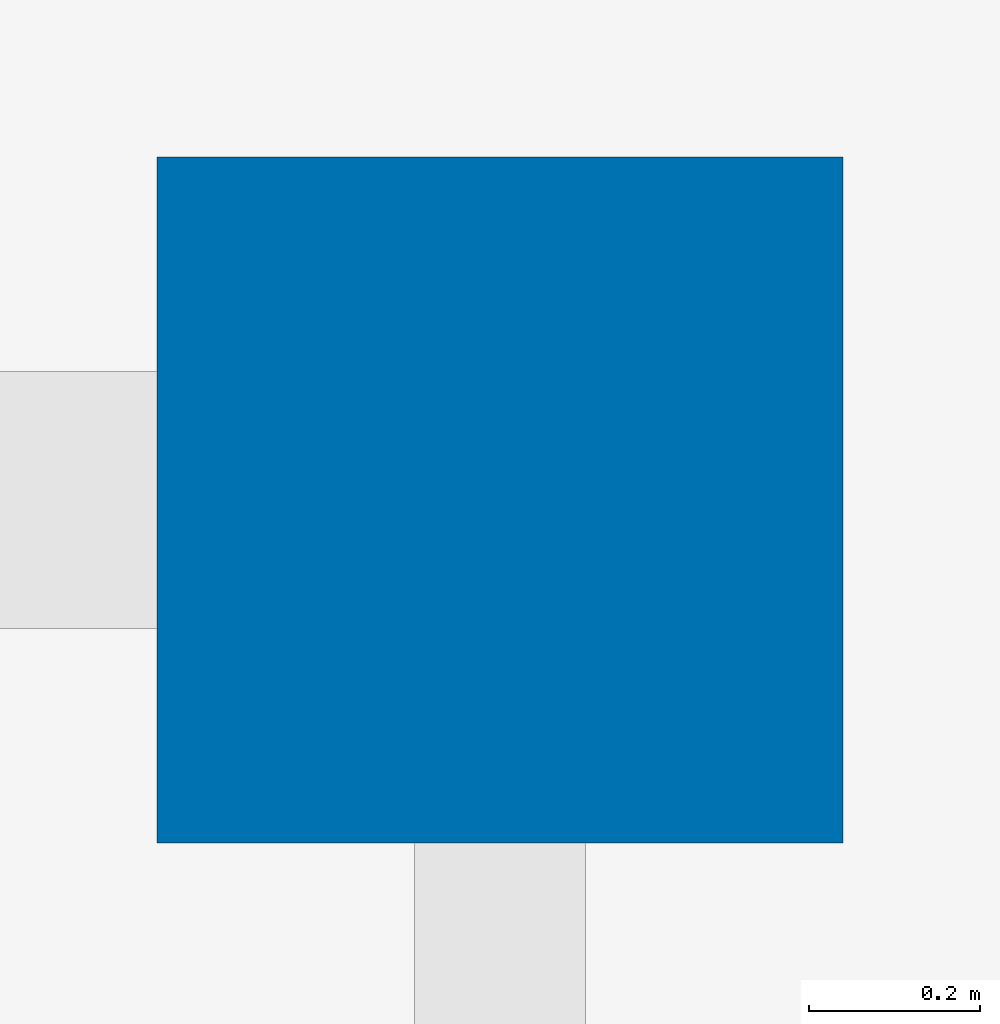
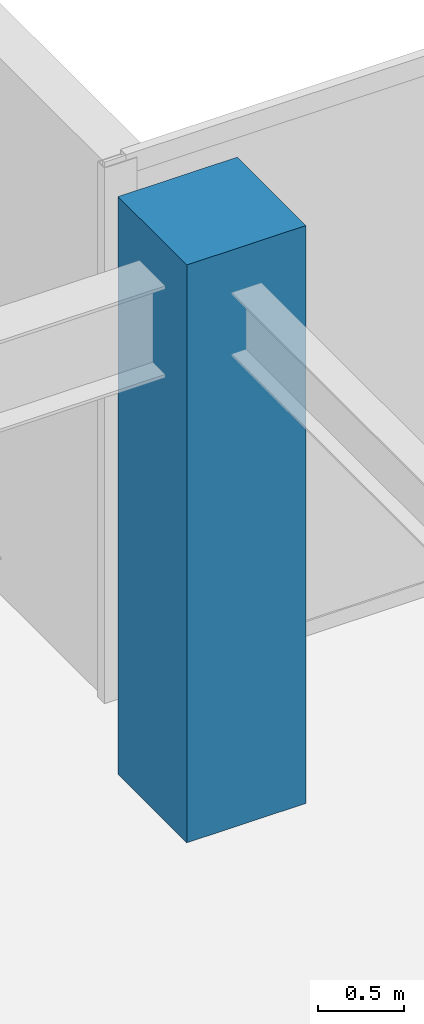
# One storey, part 4 of 33: 1 column.
"""IFC4 building model written with IfcOpenShell, lengths in metres."""

import ifcopenshell
import ifcopenshell.guid

model = None  # the IFC model being written
_history = None  # IfcOwnerHistory: only IFC2X3 demands one
_inside = {}  # id of a spatial element -> (the spatial element, [elements in it])
_under = {}  # id of a project, library or spatial element -> (it, [spatial elements below it])
_declared = {}  # id of a project -> (the project, [libraries it declares])
_typed = {}  # id of a type object -> (the type object, [elements of that type])
_made_of = {}  # id of a material, layer set ... -> (it, [elements and type objects made of it])


def new_model(schema):
    """Start an empty IFC model of exactly this schema.

    Asked for "IFC4X3", IfcOpenShell would pick the latest addendum, in which some entities
    have other attributes; the version numbers below select the first issue.
    IFC2X3 requires an IfcOwnerHistory on every rooted entity: one is made here for all.
    """
    global model, _history
    if schema == "IFC4X3":
        model = ifcopenshell.file(schema_version=(4, 3, 0, 0))
    else:
        model = ifcopenshell.file(schema=schema)
    _inside.clear()
    _under.clear()
    _declared.clear()
    _typed.clear()
    _made_of.clear()
    _history = None
    if model.schema == "IFC2X3":
        org = make("IfcOrganization", Name="unknown")
        user = make(
            "IfcPersonAndOrganization",
            ThePerson=make("IfcPerson", FamilyName="unknown"),
            TheOrganization=org,
        )
        app = make(
            "IfcApplication",
            ApplicationDeveloper=org,
            Version="unknown",
            ApplicationFullName="unknown",
            ApplicationIdentifier="unknown",
        )
        _history = make(
            "IfcOwnerHistory",
            OwningUser=user,
            OwningApplication=app,
            ChangeAction="ADDED",
            CreationDate=0,
        )
    return model


def make(cls, **values):
    """One entity of the class cls with the attributes given. An attribute that is None is left unset."""
    return model.create_entity(
        cls, **{name: value for name, value in values.items() if value is not None}
    )


def rooted(cls, **values):
    """An entity with a GlobalId (a new one), such as an element, a storey or a relation."""
    return make(cls, GlobalId=ifcopenshell.guid.new(), OwnerHistory=_history, **values)


def si_unit(unit_type, name, prefix=None):
    """IfcSIUnit, for example si_unit("LENGTHUNIT", "METRE", prefix="MILLI")."""
    return make("IfcSIUnit", UnitType=unit_type, Prefix=prefix, Name=name)


def assignment(units):
    """IfcUnitAssignment: the units of a project."""
    return None if units is None else make("IfcUnitAssignment", Units=units)


def point(xyz):
    """IfcCartesianPoint."""
    return None if xyz is None else make("IfcCartesianPoint", Coordinates=xyz)


def direction(xyz):
    """IfcDirection."""
    return None if xyz is None else make("IfcDirection", DirectionRatios=xyz)


def frame(location, z_axis=None, x_axis=None):
    """IfcAxis2Placement3D, a coordinate frame: its origin and axes. An axis left out is left unset."""
    return make(
        "IfcAxis2Placement3D",
        Location=point(location),
        Axis=direction(z_axis),
        RefDirection=direction(x_axis),
    )


def frame_2d(location, x_axis=None):
    """IfcAxis2Placement2D, a coordinate frame in the plane: its origin and x axis."""
    return make(
        "IfcAxis2Placement2D", Location=point(location), RefDirection=direction(x_axis)
    )


def origin():
    """The frame at (0, 0, 0) with its axes left unset."""
    return frame((0.0, 0.0, 0.0))


def origin_2d():
    """The frame at (0, 0) in the plane with its x axis left unset."""
    return frame_2d((0.0, 0.0))


def place(relative_to, where):
    """IfcLocalPlacement: puts the frame where relative to a parent placement (None: the world)."""
    return make(
        "IfcLocalPlacement", PlacementRelTo=relative_to, RelativePlacement=where
    )


def context(
    kind, dimensions, precision=None, world=None, true_north=None, identifier=None
):
    """IfcGeometricRepresentationContext, for example the 3D "Model" context."""
    return make(
        "IfcGeometricRepresentationContext",
        ContextIdentifier=identifier,
        ContextType=kind,
        CoordinateSpaceDimension=dimensions,
        Precision=precision,
        WorldCoordinateSystem=world,
        TrueNorth=true_north,
    )


def subcontext(parent, identifier, kind, view, scale=None):
    """IfcGeometricRepresentationSubContext, for example "Body" below "Model"."""
    return make(
        "IfcGeometricRepresentationSubContext",
        ContextIdentifier=identifier,
        ContextType=kind,
        ParentContext=parent,
        TargetScale=scale,
        TargetView=view,
    )


def project(units=None, contexts=None):
    """IfcProject with its units and contexts."""
    return rooted(
        "IfcProject",
        Name="project",
        RepresentationContexts=contexts,
        UnitsInContext=assignment(units),
    )


def spatial(cls, under=None, at=None, **own):
    """A site, building, storey or space (cls), placed at a placement, below another one or the project."""
    s = rooted(cls, ObjectPlacement=at, **own)
    if under is not None:
        _under.setdefault(under.id(), (under, []))[1].append(s)
    return s


def profile(cls, at=None, kind="AREA", **sizes):
    """A parametric profile (cls). Its sizes go by their IFC names, for example OverallWidth=200.0."""
    return make(cls, ProfileType=kind, Position=at, **sizes)


def rectangle(**sizes):
    """IfcRectangleProfileDef."""
    return profile("IfcRectangleProfileDef", **sizes)


def extrude(swept, where, along, depth):
    """IfcExtrudedAreaSolid: the profile swept, set in the frame where, extruded along a direction by depth."""
    return make(
        "IfcExtrudedAreaSolid",
        SweptArea=swept,
        Position=where,
        ExtrudedDirection=direction(along),
        Depth=depth,
    )


def shape(context_of_items, identifier, shape_type, items):
    """IfcShapeRepresentation: the items that make up one representation, for example the "Body"."""
    return make(
        "IfcShapeRepresentation",
        ContextOfItems=context_of_items,
        RepresentationIdentifier=identifier,
        RepresentationType=shape_type,
        Items=items,
    )


def source(mapping_origin, context_of_items, identifier, shape_type, items):
    """IfcRepresentationMap: a shape defined once, which mapped items show again and again."""
    return make(
        "IfcRepresentationMap",
        MappingOrigin=mapping_origin,
        MappedRepresentation=shape(context_of_items, identifier, shape_type, items),
    )


def transform(
    local_origin,
    x_axis=None,
    y_axis=None,
    z_axis=None,
    scale=None,
    scale2=None,
    scale3=None,
    uniform=True,
):
    """IfcCartesianTransformationOperator3D, or its non-uniform kind. x_axis, y_axis, z_axis: its Axis1, 2, 3."""
    if uniform:
        return make(
            "IfcCartesianTransformationOperator3D",
            Axis1=direction(x_axis),
            Axis2=direction(y_axis),
            LocalOrigin=point(local_origin),
            Scale=scale,
            Axis3=direction(z_axis),
        )
    return make(
        "IfcCartesianTransformationOperator3DnonUniform",
        Axis1=direction(x_axis),
        Axis2=direction(y_axis),
        LocalOrigin=point(local_origin),
        Scale=scale,
        Axis3=direction(z_axis),
        Scale2=scale2,
        Scale3=scale3,
    )


def mapped(mapping_source, mapping_target):
    """IfcMappedItem: shows the shape of a source again, moved by a transform."""
    return make(
        "IfcMappedItem", MappingSource=mapping_source, MappingTarget=mapping_target
    )


def material(Name=None, Category=None):
    """IfcMaterial."""
    return make("IfcMaterial", Name=Name, Category=Category)


def material_profile(
    of_material, cross_section, Name=None, Category=None, Priority=None
):
    """IfcMaterialProfile: a cross section and its material."""
    return make(
        "IfcMaterialProfile",
        Name=Name,
        Material=of_material,
        Profile=cross_section,
        Priority=Priority,
        Category=Category,
    )


def profile_set(profiles, Name=None, composite=None):
    """IfcMaterialProfileSet."""
    return make(
        "IfcMaterialProfileSet",
        Name=Name,
        MaterialProfiles=profiles,
        CompositeProfile=composite,
    )


def made_of(thing, what):
    """Note that an element or type object is made of a material, layer set ...; save() writes the relation."""
    if what is not None:
        _made_of.setdefault(what.id(), (what, []))[1].append(thing)
    return thing


def type_object(cls, material=None, **own):
    """A type object (cls), such as IfcWallType, which elements share."""
    return made_of(rooted(cls, **own), material)


def type_shapes(of_type, sources):
    """Give a type object the sources (RepresentationMaps) that its elements show as mapped items."""
    of_type.RepresentationMaps = sources


def element(
    cls,
    number,
    at=None,
    inside=None,
    cuts=None,
    type_object=None,
    material=None,
    context=None,
    identifier="Body",
    shape_type=None,
    held_by="IfcProductDefinitionShape",
    body=None,
    shapes=None,
    **own,
):
    """One element of the class cls, such as IfcWall. Its Tag is "e" and its number.

    at: its placement. inside: the storey or other place that contains it. cuts: it is an
    opening in that element (IfcRelVoidsElement). A single representation is given by context,
    identifier, shape_type and body (its items); several are given by shapes. held_by: the class
    of the entity that holds the representations. save() writes the other relations.
    """
    e = rooted(cls, Tag="e%d" % number, ObjectPlacement=at, **own)
    if body is not None:
        shapes = [shape(context, identifier, shape_type, body)]
    if shapes is not None:
        e.Representation = make(held_by, Representations=shapes)
    if inside is not None:
        _inside.setdefault(inside.id(), (inside, []))[1].append(e)
    if cuts is not None:
        rooted(
            "IfcRelVoidsElement", RelatingBuildingElement=cuts, RelatedOpeningElement=e
        )
    if type_object is not None:
        _typed.setdefault(type_object.id(), (type_object, []))[1].append(e)
    return made_of(e, material)


def aggregate(whole, parts):
    """IfcRelAggregates: a whole, such as a stair, and the parts it consists of."""
    return rooted("IfcRelAggregates", RelatingObject=whole, RelatedObjects=parts)


def save(model, path):
    """Write the relations noted so far, then the file.

    IfcRelAggregates (storeys below a building ...), IfcRelContainedInSpatialStructure (elements
    in a storey), IfcRelDefinesByType, IfcRelAssociatesMaterial and IfcRelDeclares: one each for
    every whole, place, type object, material and project.
    """
    for whole, parts in _under.values():
        aggregate(whole, parts)
    for where, things in _inside.values():
        rooted(
            "IfcRelContainedInSpatialStructure",
            RelatedElements=things,
            RelatingStructure=where,
        )
    for kind, things in _typed.values():
        rooted("IfcRelDefinesByType", RelatedObjects=things, RelatingType=kind)
    for what, things in _made_of.values():
        rooted("IfcRelAssociatesMaterial", RelatedObjects=things, RelatingMaterial=what)
    for by, libraries in _declared.values():
        rooted("IfcRelDeclares", RelatingContext=by, RelatedDefinitions=libraries)
    model.write(path)


model = new_model("IFC4")

# Units and contexts
model_context = context("Model", 3, precision=1e-05, world=origin(), true_north=direction((0.0, 1.0)))
body_context = subcontext(model_context, "Body", "Model", "MODEL_VIEW")
ifc_project = project(units=[si_unit("LENGTHUNIT", "METRE"), si_unit("AREAUNIT", "SQUARE_METRE"), si_unit("VOLUMEUNIT", "CUBIC_METRE"), si_unit("PLANEANGLEUNIT", "RADIAN"), si_unit("MASSUNIT", "GRAM", prefix="KILO")], contexts=[model_context])

# Site, building, storey
site_placement = place(None, origin())
site = spatial("IfcSite", under=ifc_project, at=site_placement, CompositionType="ELEMENT")
building_placement = place(site_placement, origin())
building = spatial("IfcBuilding", under=site, at=building_placement, Name="Haelvirn Gate Laboratories", CompositionType="ELEMENT")
storey_placement = place(building_placement, frame((0.0, 0.0, 217.800048828125)))
storey = spatial("IfcBuildingStorey", under=building, at=storey_placement, Name="L52", CompositionType="ELEMENT", Elevation=217.800048828125)

# Column
ifc_material = material(Name="Concrete C50/60", Category="concrete")
ifc_material_profile = material_profile(ifc_material, rectangle(XDim=0.800048828125, YDim=0.800048828125, at=origin_2d()), Name="RC-800x800")
ifc_profile_set = profile_set([ifc_material_profile], Name="Concrete C50/60")
column_type = type_object("IfcColumnType", Name="COL-RC-800", PredefinedType="COLUMN", material=ifc_profile_set)
shared_shape = source(origin(), body_context, "Body", "SweptSolid", [
    extrude(rectangle(XDim=0.800048828125, YDim=0.800048828125, at=origin_2d()), origin(), (0.0, 0.0, 1.0), 4.099853515625),
])
type_shapes(column_type, [shared_shape])
column_placement = place(storey_placement, frame((67.39990234375, 41.60009765625, 0.0), z_axis=(0.0, 0.0, 1.0), x_axis=(1.0, 0.0, 0.0)))
element("IfcColumn", 1, at=column_placement, inside=storey, type_object=column_type, Name="L52 Column 10G", PredefinedType="COLUMN", context=body_context, shape_type="MappedRepresentation", body=[
    mapped(shared_shape, transform((0.0, 0.0, 0.0), scale=1.0)),
])

save(model, "model.ifc")
